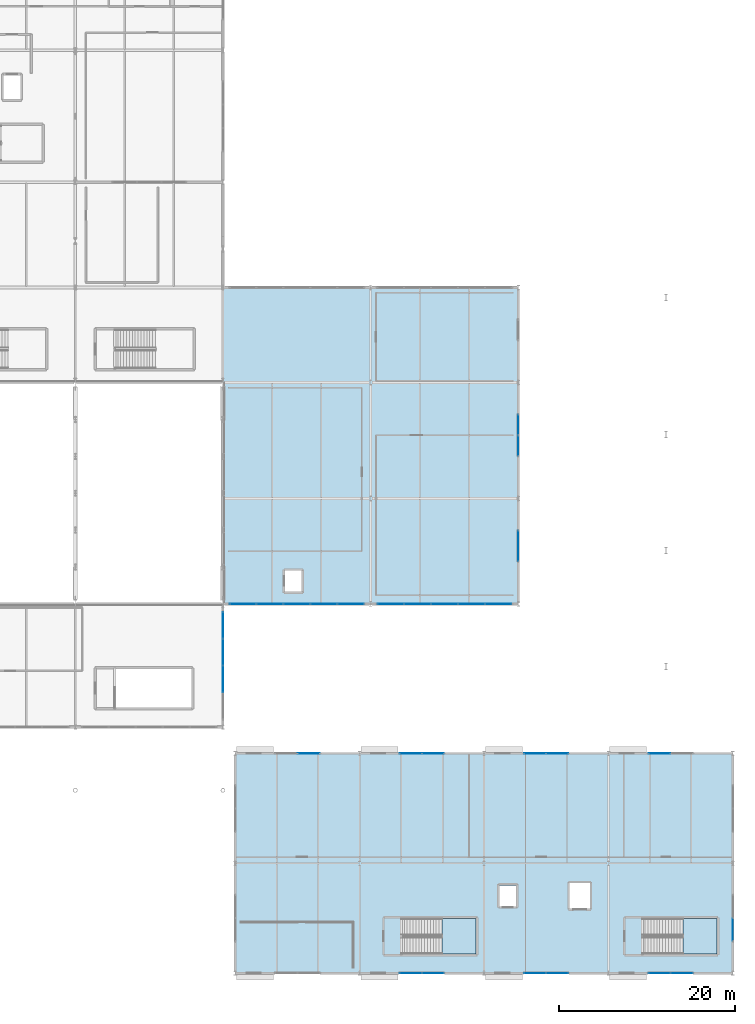
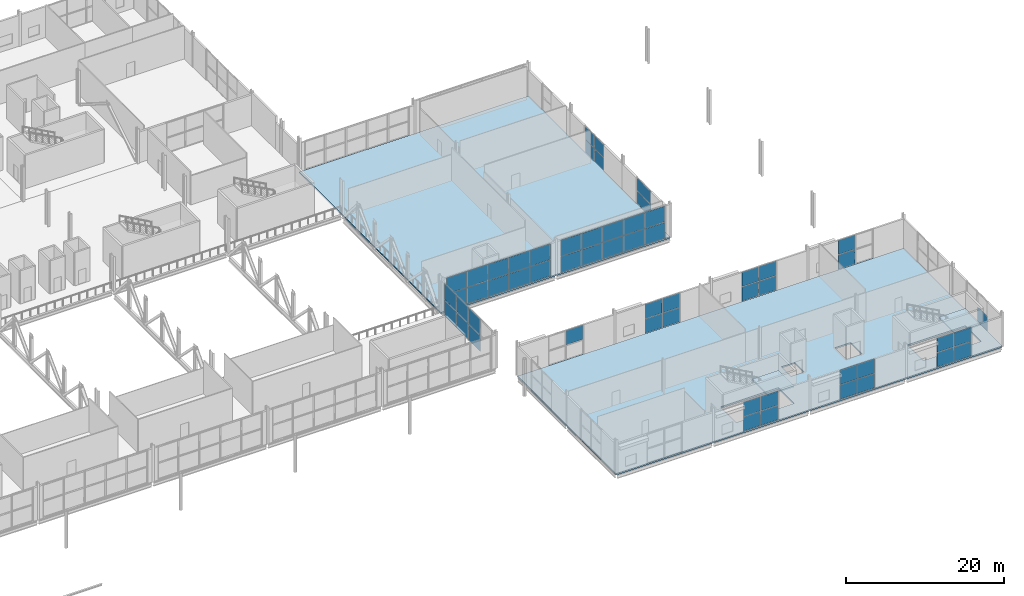
# One storey, part 52 of 84: 56 plates, 4 slabs, 15 elements without a shape of their own.
"""IFC4 building model written with IfcOpenShell, lengths in metres."""

from ifc_helpers import new_model, si_unit, direction, frame, origin, origin_2d, place, context, subcontext, project, spatial, polyline, rectangle, outline, extrude, material, layer, layer_set, type_object, element, aggregate, save


model = new_model("IFC4")

# Units and contexts
model_context = context("Model", 3, precision=1e-05, world=origin(), true_north=direction((0.0, 1.0)))
body_context = subcontext(model_context, "Body", "Model", "MODEL_VIEW")
ifc_project = project(units=[si_unit("LENGTHUNIT", "METRE"), si_unit("AREAUNIT", "SQUARE_METRE"), si_unit("VOLUMEUNIT", "CUBIC_METRE"), si_unit("PLANEANGLEUNIT", "RADIAN"), si_unit("MASSUNIT", "GRAM", prefix="KILO")], contexts=[model_context])

# Site, building, storey
site_placement = place(None, origin())
site = spatial("IfcSite", under=ifc_project, at=site_placement, CompositionType="ELEMENT")
building_placement = place(site_placement, origin())
building = spatial("IfcBuilding", under=site, at=building_placement, Name="Kimbaza Rail Terminus", CompositionType="ELEMENT")
storey_placement = place(building_placement, frame((0.0, 0.0, 5.39990234375)))
storey = spatial("IfcBuildingStorey", under=building, at=storey_placement, Name="L01", CompositionType="ELEMENT", Elevation=5.39990234375)

# Curtain wall, plates
ifc_material_1 = material(Name="Anodised aluminium framing and solar low-E glazing", Category="aluminium")
curtain_wall_type_1 = type_object("IfcCurtainWallType", Name="ARC-CW-TH1", PredefinedType="USERDEFINED", material=ifc_material_1)
curtain_wall_1_placement = place(storey_placement, origin())
curtain_wall_1 = element("IfcCurtainWall", 1, at=curtain_wall_1_placement, inside=storey, type_object=curtain_wall_type_1, Name="Concourse E Return Curtain Wall L01", ObjectType="UNITISED CURTAIN WALL", PredefinedType="USERDEFINED")
ifc_material_2 = material(Name="Solar-control double low-E glazing", Category="glass")
ifc_layer_1 = layer(ifc_material_2, 0.035888671875)
ifc_layer_set_1 = layer_set([ifc_layer_1], Name="Solar-control double low-E glazing")
plate_type_1 = type_object("IfcPlateType", Name="ARC-CWP-01", PredefinedType="CURTAIN_PANEL", material=ifc_layer_set_1)
plate_1_placement = place(storey_placement, frame((156.0, 46.465087890625, 0.0751953125), z_axis=(0.0, 0.0, 1.0), x_axis=(0.0, 1.0, 0.0)))
plate_1 = element("IfcPlate", 2, at=plate_1_placement, type_object=plate_type_1, Name="CW-01 panel 2.1", PredefinedType="CURTAIN_PANEL", context=body_context, shape_type="SweptSolid", body=[
    extrude(rectangle(XDim=2.9951171875, YDim=0.035888671875, at=origin_2d()), origin(), (0.0, 0.0, 1.0), 2.45751953125),
])
plate_2_placement = place(storey_placement, frame((156.0, 46.465087890625, 2.607666015625), z_axis=(0.0, 0.0, 1.0), x_axis=(0.0, 1.0, 0.0)))
plate_2 = element("IfcPlate", 3, at=plate_2_placement, type_object=plate_type_1, Name="CW-01 panel 2.2", PredefinedType="CURTAIN_PANEL", context=body_context, shape_type="SweptSolid", body=[
    extrude(rectangle(XDim=2.9951171875, YDim=0.035888671875, at=origin_2d()), origin(), (0.0, 0.0, 1.0), 2.45751953125),
])
plate_3_placement = place(storey_placement, frame((156.0, 49.534912109375, 0.0751953125), z_axis=(0.0, 0.0, 1.0), x_axis=(0.0, 1.0, 0.0)))
plate_3 = element("IfcPlate", 4, at=plate_3_placement, type_object=plate_type_1, Name="CW-01 panel 3.1", PredefinedType="CURTAIN_PANEL", context=body_context, shape_type="SweptSolid", body=[
    extrude(rectangle(XDim=2.9951171875, YDim=0.035888671875, at=origin_2d()), origin(), (0.0, 0.0, 1.0), 2.45751953125),
])
plate_4_placement = place(storey_placement, frame((156.0, 49.534912109375, 2.607666015625), z_axis=(0.0, 0.0, 1.0), x_axis=(0.0, 1.0, 0.0)))
plate_4 = element("IfcPlate", 5, at=plate_4_placement, type_object=plate_type_1, Name="CW-01 panel 3.2", PredefinedType="CURTAIN_PANEL", context=body_context, shape_type="SweptSolid", body=[
    extrude(rectangle(XDim=2.9951171875, YDim=0.035888671875, at=origin_2d()), origin(), (0.0, 0.0, 1.0), 2.45751953125),
])
plate_5_placement = place(storey_placement, frame((156.0, 52.586181640625, 0.0751953125), z_axis=(0.0, 0.0, 1.0), x_axis=(0.0, 1.0, 0.0)))
plate_5 = element("IfcPlate", 6, at=plate_5_placement, type_object=plate_type_1, Name="CW-01 panel 4.1", PredefinedType="CURTAIN_PANEL", context=body_context, shape_type="SweptSolid", body=[
    extrude(rectangle(XDim=2.95751953125, YDim=0.035888671875, at=origin_2d()), origin(), (0.0, 0.0, 1.0), 2.45751953125),
])
plate_6_placement = place(storey_placement, frame((156.0, 52.586181640625, 2.607666015625), z_axis=(0.0, 0.0, 1.0), x_axis=(0.0, 1.0, 0.0)))
plate_6 = element("IfcPlate", 7, at=plate_6_placement, type_object=plate_type_1, Name="CW-01 panel 4.2", PredefinedType="CURTAIN_PANEL", context=body_context, shape_type="SweptSolid", body=[
    extrude(rectangle(XDim=2.95751953125, YDim=0.035888671875, at=origin_2d()), origin(), (0.0, 0.0, 1.0), 2.45751953125),
])
aggregate(curtain_wall_1, [plate_1, plate_2, plate_3, plate_4, plate_5, plate_6])

curtain_wall_2_placement = place(storey_placement, origin())
curtain_wall_2 = element("IfcCurtainWall", 8, at=curtain_wall_2_placement, inside=storey, type_object=curtain_wall_type_1, Name="Ticket Hall Wing E Curtain Wall L01.1", ObjectType="UNITISED CURTAIN WALL", PredefinedType="USERDEFINED")
plate_7_placement = place(storey_placement, frame((158.274658203125, 55.0, 0.0751953125), z_axis=(0.0, 0.0, 1.0), x_axis=(1.0, 0.0, 0.0)))
plate_7 = element("IfcPlate", 9, at=plate_7_placement, type_object=plate_type_1, Name="CW-01 panel 1.1", PredefinedType="CURTAIN_PANEL", context=body_context, shape_type="SweptSolid", body=[
    extrude(rectangle(XDim=2.95947265625, YDim=0.035888671875, at=origin_2d()), origin(), (0.0, 0.0, 1.0), 2.45751953125),
])
plate_8_placement = place(storey_placement, frame((158.274658203125, 55.0, 2.607666015625), z_axis=(0.0, 0.0, 1.0), x_axis=(1.0, 0.0, 0.0)))
plate_8 = element("IfcPlate", 10, at=plate_8_placement, type_object=plate_type_1, Name="CW-01 panel 1.2", PredefinedType="CURTAIN_PANEL", context=body_context, shape_type="SweptSolid", body=[
    extrude(rectangle(XDim=2.95947265625, YDim=0.035888671875, at=origin_2d()), origin(), (0.0, 0.0, 1.0), 2.45751953125),
])
plate_9_placement = place(storey_placement, frame((161.327880859375, 55.0, 0.0751953125), z_axis=(0.0, 0.0, 1.0), x_axis=(1.0, 0.0, 0.0)))
plate_9 = element("IfcPlate", 11, at=plate_9_placement, type_object=plate_type_1, Name="CW-01 panel 2.1", PredefinedType="CURTAIN_PANEL", context=body_context, shape_type="SweptSolid", body=[
    extrude(rectangle(XDim=2.9970703125, YDim=0.035888671875, at=origin_2d()), origin(), (0.0, 0.0, 1.0), 2.45751953125),
])
plate_10_placement = place(storey_placement, frame((161.327880859375, 55.0, 2.607666015625), z_axis=(0.0, 0.0, 1.0), x_axis=(1.0, 0.0, 0.0)))
plate_10 = element("IfcPlate", 12, at=plate_10_placement, type_object=plate_type_1, Name="CW-01 panel 2.2", PredefinedType="CURTAIN_PANEL", context=body_context, shape_type="SweptSolid", body=[
    extrude(rectangle(XDim=2.9970703125, YDim=0.035888671875, at=origin_2d()), origin(), (0.0, 0.0, 1.0), 2.45751953125),
])
plate_11_placement = place(storey_placement, frame((164.39990234375, 55.0, 0.0751953125), z_axis=(0.0, 0.0, 1.0), x_axis=(1.0, 0.0, 0.0)))
plate_11 = element("IfcPlate", 13, at=plate_11_placement, type_object=plate_type_1, Name="CW-01 panel 3.1", PredefinedType="CURTAIN_PANEL", context=body_context, shape_type="SweptSolid", body=[
    extrude(rectangle(XDim=2.9970703125, YDim=0.035888671875, at=origin_2d()), origin(), (0.0, 0.0, 1.0), 2.45751953125),
])
plate_12_placement = place(storey_placement, frame((164.39990234375, 55.0, 2.607666015625), z_axis=(0.0, 0.0, 1.0), x_axis=(1.0, 0.0, 0.0)))
plate_12 = element("IfcPlate", 14, at=plate_12_placement, type_object=plate_type_1, Name="CW-01 panel 3.2", PredefinedType="CURTAIN_PANEL", context=body_context, shape_type="SweptSolid", body=[
    extrude(rectangle(XDim=2.9970703125, YDim=0.035888671875, at=origin_2d()), origin(), (0.0, 0.0, 1.0), 2.45751953125),
])
plate_13_placement = place(storey_placement, frame((167.471923828125, 55.0, 0.0751953125), z_axis=(0.0, 0.0, 1.0), x_axis=(1.0, 0.0, 0.0)))
plate_13 = element("IfcPlate", 15, at=plate_13_placement, type_object=plate_type_1, Name="CW-01 panel 4.1", PredefinedType="CURTAIN_PANEL", context=body_context, shape_type="SweptSolid", body=[
    extrude(rectangle(XDim=2.9970703125, YDim=0.035888671875, at=origin_2d()), origin(), (0.0, 0.0, 1.0), 2.45751953125),
])
plate_14_placement = place(storey_placement, frame((167.471923828125, 55.0, 2.607666015625), z_axis=(0.0, 0.0, 1.0), x_axis=(1.0, 0.0, 0.0)))
plate_14 = element("IfcPlate", 16, at=plate_14_placement, type_object=plate_type_1, Name="CW-01 panel 4.2", PredefinedType="CURTAIN_PANEL", context=body_context, shape_type="SweptSolid", body=[
    extrude(rectangle(XDim=2.9970703125, YDim=0.035888671875, at=origin_2d()), origin(), (0.0, 0.0, 1.0), 2.45751953125),
])
plate_15_placement = place(storey_placement, frame((170.525146484375, 55.0, 0.0751953125), z_axis=(0.0, 0.0, 1.0), x_axis=(1.0, 0.0, 0.0)))
plate_15 = element("IfcPlate", 17, at=plate_15_placement, type_object=plate_type_1, Name="CW-01 panel 5.1", PredefinedType="CURTAIN_PANEL", context=body_context, shape_type="SweptSolid", body=[
    extrude(rectangle(XDim=2.95947265625, YDim=0.035888671875, at=origin_2d()), origin(), (0.0, 0.0, 1.0), 2.45751953125),
])
plate_16_placement = place(storey_placement, frame((170.525146484375, 55.0, 2.607666015625), z_axis=(0.0, 0.0, 1.0), x_axis=(1.0, 0.0, 0.0)))
plate_16 = element("IfcPlate", 18, at=plate_16_placement, type_object=plate_type_1, Name="CW-01 panel 5.2", PredefinedType="CURTAIN_PANEL", context=body_context, shape_type="SweptSolid", body=[
    extrude(rectangle(XDim=2.95947265625, YDim=0.035888671875, at=origin_2d()), origin(), (0.0, 0.0, 1.0), 2.45751953125),
])
aggregate(curtain_wall_2, [plate_7, plate_8, plate_9, plate_10, plate_11, plate_12, plate_13, plate_14, plate_15, plate_16])

curtain_wall_3_placement = place(storey_placement, origin())
curtain_wall_3 = element("IfcCurtainWall", 19, at=curtain_wall_3_placement, inside=storey, type_object=curtain_wall_type_1, Name="Ticket Hall Wing E Curtain Wall L01.2", ObjectType="UNITISED CURTAIN WALL", PredefinedType="USERDEFINED")
plate_17_placement = place(storey_placement, frame((175.07470703125, 55.0, 0.0751953125), z_axis=(0.0, 0.0, 1.0), x_axis=(1.0, 0.0, 0.0)))
plate_17 = element("IfcPlate", 20, at=plate_17_placement, type_object=plate_type_1, Name="CW-01 panel 1.1", PredefinedType="CURTAIN_PANEL", context=body_context, shape_type="SweptSolid", body=[
    extrude(rectangle(XDim=2.95947265625, YDim=0.035888671875, at=origin_2d()), origin(), (0.0, 0.0, 1.0), 2.45751953125),
])
plate_18_placement = place(storey_placement, frame((175.07470703125, 55.0, 2.607666015625), z_axis=(0.0, 0.0, 1.0), x_axis=(1.0, 0.0, 0.0)))
plate_18 = element("IfcPlate", 21, at=plate_18_placement, type_object=plate_type_1, Name="CW-01 panel 1.2", PredefinedType="CURTAIN_PANEL", context=body_context, shape_type="SweptSolid", body=[
    extrude(rectangle(XDim=2.95947265625, YDim=0.035888671875, at=origin_2d()), origin(), (0.0, 0.0, 1.0), 2.45751953125),
])
plate_19_placement = place(storey_placement, frame((178.1279296875, 55.0, 0.0751953125), z_axis=(0.0, 0.0, 1.0), x_axis=(1.0, 0.0, 0.0)))
plate_19 = element("IfcPlate", 22, at=plate_19_placement, type_object=plate_type_1, Name="CW-01 panel 2.1", PredefinedType="CURTAIN_PANEL", context=body_context, shape_type="SweptSolid", body=[
    extrude(rectangle(XDim=2.9970703125, YDim=0.035888671875, at=origin_2d()), origin(), (0.0, 0.0, 1.0), 2.45751953125),
])
plate_20_placement = place(storey_placement, frame((178.1279296875, 55.0, 2.607666015625), z_axis=(0.0, 0.0, 1.0), x_axis=(1.0, 0.0, 0.0)))
plate_20 = element("IfcPlate", 23, at=plate_20_placement, type_object=plate_type_1, Name="CW-01 panel 2.2", PredefinedType="CURTAIN_PANEL", context=body_context, shape_type="SweptSolid", body=[
    extrude(rectangle(XDim=2.9970703125, YDim=0.035888671875, at=origin_2d()), origin(), (0.0, 0.0, 1.0), 2.45751953125),
])
plate_21_placement = place(storey_placement, frame((181.199951171875, 55.0, 0.0751953125), z_axis=(0.0, 0.0, 1.0), x_axis=(1.0, 0.0, 0.0)))
plate_21 = element("IfcPlate", 24, at=plate_21_placement, type_object=plate_type_1, Name="CW-01 panel 3.1", PredefinedType="CURTAIN_PANEL", context=body_context, shape_type="SweptSolid", body=[
    extrude(rectangle(XDim=2.9970703125, YDim=0.035888671875, at=origin_2d()), origin(), (0.0, 0.0, 1.0), 2.45751953125),
])
plate_22_placement = place(storey_placement, frame((181.199951171875, 55.0, 2.607666015625), z_axis=(0.0, 0.0, 1.0), x_axis=(1.0, 0.0, 0.0)))
plate_22 = element("IfcPlate", 25, at=plate_22_placement, type_object=plate_type_1, Name="CW-01 panel 3.2", PredefinedType="CURTAIN_PANEL", context=body_context, shape_type="SweptSolid", body=[
    extrude(rectangle(XDim=2.9970703125, YDim=0.035888671875, at=origin_2d()), origin(), (0.0, 0.0, 1.0), 2.45751953125),
])
plate_23_placement = place(storey_placement, frame((184.27197265625, 55.0, 0.0751953125), z_axis=(0.0, 0.0, 1.0), x_axis=(1.0, 0.0, 0.0)))
plate_23 = element("IfcPlate", 26, at=plate_23_placement, type_object=plate_type_1, Name="CW-01 panel 4.1", PredefinedType="CURTAIN_PANEL", context=body_context, shape_type="SweptSolid", body=[
    extrude(rectangle(XDim=2.9970703125, YDim=0.035888671875, at=origin_2d()), origin(), (0.0, 0.0, 1.0), 2.45751953125),
])
plate_24_placement = place(storey_placement, frame((184.27197265625, 55.0, 2.607666015625), z_axis=(0.0, 0.0, 1.0), x_axis=(1.0, 0.0, 0.0)))
plate_24 = element("IfcPlate", 27, at=plate_24_placement, type_object=plate_type_1, Name="CW-01 panel 4.2", PredefinedType="CURTAIN_PANEL", context=body_context, shape_type="SweptSolid", body=[
    extrude(rectangle(XDim=2.9970703125, YDim=0.035888671875, at=origin_2d()), origin(), (0.0, 0.0, 1.0), 2.45751953125),
])
plate_25_placement = place(storey_placement, frame((187.3251953125, 55.0, 0.0751953125), z_axis=(0.0, 0.0, 1.0), x_axis=(1.0, 0.0, 0.0)))
plate_25 = element("IfcPlate", 28, at=plate_25_placement, type_object=plate_type_1, Name="CW-01 panel 5.1", PredefinedType="CURTAIN_PANEL", context=body_context, shape_type="SweptSolid", body=[
    extrude(rectangle(XDim=2.95947265625, YDim=0.035888671875, at=origin_2d()), origin(), (0.0, 0.0, 1.0), 2.45751953125),
])
plate_26_placement = place(storey_placement, frame((187.3251953125, 55.0, 2.607666015625), z_axis=(0.0, 0.0, 1.0), x_axis=(1.0, 0.0, 0.0)))
plate_26 = element("IfcPlate", 29, at=plate_26_placement, type_object=plate_type_1, Name="CW-01 panel 5.2", PredefinedType="CURTAIN_PANEL", context=body_context, shape_type="SweptSolid", body=[
    extrude(rectangle(XDim=2.95947265625, YDim=0.035888671875, at=origin_2d()), origin(), (0.0, 0.0, 1.0), 2.45751953125),
])
aggregate(curtain_wall_3, [plate_17, plate_18, plate_19, plate_20, plate_21, plate_22, plate_23, plate_24, plate_25, plate_26])

curtain_wall_4_placement = place(storey_placement, origin())
curtain_wall_4 = element("IfcCurtainWall", 30, at=curtain_wall_4_placement, inside=storey, type_object=curtain_wall_type_1, Name="Ticket Hall E Glazing L01.1", ObjectType="UNITISED CURTAIN WALL", PredefinedType="USERDEFINED")
plate_27_placement = place(storey_placement, frame((189.60009765625, 61.60009765625, 0.0751953125), z_axis=(0.0, 0.0, 1.0), x_axis=(0.0, 1.0, 0.0)))
plate_27 = element("IfcPlate", 31, at=plate_27_placement, type_object=plate_type_1, Name="CW-01 panel 1.1", PredefinedType="CURTAIN_PANEL", context=body_context, shape_type="SweptSolid", body=[
    extrude(rectangle(XDim=3.449951171875, YDim=0.035888671875, at=origin_2d()), origin(), (0.0, 0.0, 1.0), 1.949951171875),
])
plate_28_placement = place(storey_placement, frame((189.60009765625, 61.60009765625, 2.10009765625), z_axis=(0.0, 0.0, 1.0), x_axis=(0.0, 1.0, 0.0)))
plate_28 = element("IfcPlate", 32, at=plate_28_placement, type_object=plate_type_1, Name="CW-01 panel 1.2", PredefinedType="CURTAIN_PANEL", context=body_context, shape_type="SweptSolid", body=[
    extrude(rectangle(XDim=3.449951171875, YDim=0.035888671875, at=origin_2d()), origin(), (0.0, 0.0, 1.0), 1.949951171875),
])
aggregate(curtain_wall_4, [plate_27, plate_28])

curtain_wall_5_placement = place(storey_placement, origin())
curtain_wall_5 = element("IfcCurtainWall", 33, at=curtain_wall_5_placement, inside=storey, type_object=curtain_wall_type_1, Name="Ticket Hall E Glazing L01.2", ObjectType="UNITISED CURTAIN WALL", PredefinedType="USERDEFINED")
plate_29_placement = place(storey_placement, frame((189.60009765625, 73.018798828125, 0.0751953125), z_axis=(0.0, 0.0, 1.0), x_axis=(0.0, 1.0, 0.0)))
plate_29 = element("IfcPlate", 34, at=plate_29_placement, type_object=plate_type_1, Name="CW-01 panel 1.1", PredefinedType="CURTAIN_PANEL", context=body_context, shape_type="SweptSolid", body=[
    extrude(rectangle(XDim=2.28759765625, YDim=0.035888671875, at=origin_2d()), origin(), (0.0, 0.0, 1.0), 1.949951171875),
])
plate_30_placement = place(storey_placement, frame((189.60009765625, 73.018798828125, 2.10009765625), z_axis=(0.0, 0.0, 1.0), x_axis=(0.0, 1.0, 0.0)))
plate_30 = element("IfcPlate", 35, at=plate_30_placement, type_object=plate_type_1, Name="CW-01 panel 1.2", PredefinedType="CURTAIN_PANEL", context=body_context, shape_type="SweptSolid", body=[
    extrude(rectangle(XDim=2.28759765625, YDim=0.035888671875, at=origin_2d()), origin(), (0.0, 0.0, 1.0), 1.949951171875),
])
plate_31_placement = place(storey_placement, frame((189.60009765625, 75.38134765625, 0.0751953125), z_axis=(0.0, 0.0, 1.0), x_axis=(0.0, 1.0, 0.0)))
plate_31 = element("IfcPlate", 36, at=plate_31_placement, type_object=plate_type_1, Name="CW-01 panel 2.1", PredefinedType="CURTAIN_PANEL", context=body_context, shape_type="SweptSolid", body=[
    extrude(rectangle(XDim=2.28759765625, YDim=0.035888671875, at=origin_2d()), origin(), (0.0, 0.0, 1.0), 1.949951171875),
])
plate_32_placement = place(storey_placement, frame((189.60009765625, 75.38134765625, 2.10009765625), z_axis=(0.0, 0.0, 1.0), x_axis=(0.0, 1.0, 0.0)))
plate_32 = element("IfcPlate", 37, at=plate_32_placement, type_object=plate_type_1, Name="CW-01 panel 2.2", PredefinedType="CURTAIN_PANEL", context=body_context, shape_type="SweptSolid", body=[
    extrude(rectangle(XDim=2.28759765625, YDim=0.035888671875, at=origin_2d()), origin(), (0.0, 0.0, 1.0), 1.949951171875),
])
aggregate(curtain_wall_5, [plate_29, plate_30, plate_31, plate_32])

# Curtain wall, plate
ifc_material_3 = material(Name="Anodised aluminium framing and solar low-E glazing", Category="aluminium")
curtain_wall_type_2 = type_object("IfcCurtainWallType", Name="ARC-CW-PV1", PredefinedType="USERDEFINED", material=ifc_material_3)
curtain_wall_6_placement = place(storey_placement, origin())
curtain_wall_6 = element("IfcCurtainWall", 38, at=curtain_wall_6_placement, inside=storey, type_object=curtain_wall_type_2, Name="Pavilion N Curtain Wall L01.1", ObjectType="STICK CURTAIN WALL", PredefinedType="USERDEFINED")
ifc_material_4 = material(Name="Solar-control double low-E glazing", Category="glass")
ifc_layer_2 = layer(ifc_material_4, 0.027099609375)
ifc_layer_set_2 = layer_set([ifc_layer_2], Name="Solar-control double low-E glazing")
plate_type_2 = type_object("IfcPlateType", Name="ARC-CWP-04", PredefinedType="CURTAIN_PANEL", material=ifc_layer_set_2)
plate_33_placement = place(storey_placement, frame((165.746337890625, 38.0, 2.34521484375), z_axis=(0.0, 0.0, 1.0), x_axis=(1.0, 0.0, 0.0)))
plate_33 = element("IfcPlate", 39, at=plate_33_placement, type_object=plate_type_2, Name="CW-04 panel 2.2", PredefinedType="CURTAIN_PANEL", context=body_context, shape_type="SweptSolid", body=[
    extrude(rectangle(XDim=2.4775390625, YDim=0.027099609375, at=origin_2d()), origin(), (0.0, 0.0, 1.0), 2.215087890625),
])
aggregate(curtain_wall_6, [plate_33])

# Curtain wall, plates
curtain_wall_7_placement = place(storey_placement, origin())
curtain_wall_7 = element("IfcCurtainWall", 40, at=curtain_wall_7_placement, inside=storey, type_object=curtain_wall_type_2, Name="Pavilion N Curtain Wall L01.2", ObjectType="STICK CURTAIN WALL", PredefinedType="USERDEFINED")
plate_34_placement = place(storey_placement, frame((177.353759765625, 38.0, 0.06494140625), z_axis=(0.0, 0.0, 1.0), x_axis=(1.0, 0.0, 0.0)))
plate_34 = element("IfcPlate", 41, at=plate_34_placement, type_object=plate_type_2, Name="CW-04 panel 1.1", PredefinedType="CURTAIN_PANEL", context=body_context, shape_type="SweptSolid", body=[
    extrude(rectangle(XDim=2.4775390625, YDim=0.027099609375, at=origin_2d()), origin(), (0.0, 0.0, 1.0), 2.215087890625),
])
plate_35_placement = place(storey_placement, frame((177.353759765625, 38.0, 2.34521484375), z_axis=(0.0, 0.0, 1.0), x_axis=(1.0, 0.0, 0.0)))
plate_35 = element("IfcPlate", 42, at=plate_35_placement, type_object=plate_type_2, Name="CW-04 panel 1.2", PredefinedType="CURTAIN_PANEL", context=body_context, shape_type="SweptSolid", body=[
    extrude(rectangle(XDim=2.4775390625, YDim=0.027099609375, at=origin_2d()), origin(), (0.0, 0.0, 1.0), 2.215087890625),
])
plate_36_placement = place(storey_placement, frame((179.896240234375, 38.0, 0.06494140625), z_axis=(0.0, 0.0, 1.0), x_axis=(1.0, 0.0, 0.0)))
plate_36 = element("IfcPlate", 43, at=plate_36_placement, type_object=plate_type_2, Name="CW-04 panel 2.1", PredefinedType="CURTAIN_PANEL", context=body_context, shape_type="SweptSolid", body=[
    extrude(rectangle(XDim=2.4775390625, YDim=0.027099609375, at=origin_2d()), origin(), (0.0, 0.0, 1.0), 2.215087890625),
])
plate_37_placement = place(storey_placement, frame((179.896240234375, 38.0, 2.34521484375), z_axis=(0.0, 0.0, 1.0), x_axis=(1.0, 0.0, 0.0)))
plate_37 = element("IfcPlate", 44, at=plate_37_placement, type_object=plate_type_2, Name="CW-04 panel 2.2", PredefinedType="CURTAIN_PANEL", context=body_context, shape_type="SweptSolid", body=[
    extrude(rectangle(XDim=2.4775390625, YDim=0.027099609375, at=origin_2d()), origin(), (0.0, 0.0, 1.0), 2.215087890625),
])
aggregate(curtain_wall_7, [plate_34, plate_35, plate_36, plate_37])

curtain_wall_8_placement = place(storey_placement, origin())
curtain_wall_8 = element("IfcCurtainWall", 45, at=curtain_wall_8_placement, inside=storey, type_object=curtain_wall_type_2, Name="Pavilion N Curtain Wall L01.3", ObjectType="STICK CURTAIN WALL", PredefinedType="USERDEFINED")
plate_38_placement = place(storey_placement, frame((191.503662109375, 38.0, 0.06494140625), z_axis=(0.0, 0.0, 1.0), x_axis=(1.0, 0.0, 0.0)))
plate_38 = element("IfcPlate", 46, at=plate_38_placement, type_object=plate_type_2, Name="CW-04 panel 1.1", PredefinedType="CURTAIN_PANEL", context=body_context, shape_type="SweptSolid", body=[
    extrude(rectangle(XDim=2.4775390625, YDim=0.027099609375, at=origin_2d()), origin(), (0.0, 0.0, 1.0), 2.215087890625),
])
plate_39_placement = place(storey_placement, frame((191.503662109375, 38.0, 2.34521484375), z_axis=(0.0, 0.0, 1.0), x_axis=(1.0, 0.0, 0.0)))
plate_39 = element("IfcPlate", 47, at=plate_39_placement, type_object=plate_type_2, Name="CW-04 panel 1.2", PredefinedType="CURTAIN_PANEL", context=body_context, shape_type="SweptSolid", body=[
    extrude(rectangle(XDim=2.4775390625, YDim=0.027099609375, at=origin_2d()), origin(), (0.0, 0.0, 1.0), 2.215087890625),
])
plate_40_placement = place(storey_placement, frame((194.046142578125, 38.0, 0.06494140625), z_axis=(0.0, 0.0, 1.0), x_axis=(1.0, 0.0, 0.0)))
plate_40 = element("IfcPlate", 48, at=plate_40_placement, type_object=plate_type_2, Name="CW-04 panel 2.1", PredefinedType="CURTAIN_PANEL", context=body_context, shape_type="SweptSolid", body=[
    extrude(rectangle(XDim=2.4775390625, YDim=0.027099609375, at=origin_2d()), origin(), (0.0, 0.0, 1.0), 2.215087890625),
])
plate_41_placement = place(storey_placement, frame((194.046142578125, 38.0, 2.34521484375), z_axis=(0.0, 0.0, 1.0), x_axis=(1.0, 0.0, 0.0)))
plate_41 = element("IfcPlate", 49, at=plate_41_placement, type_object=plate_type_2, Name="CW-04 panel 2.2", PredefinedType="CURTAIN_PANEL", context=body_context, shape_type="SweptSolid", body=[
    extrude(rectangle(XDim=2.4775390625, YDim=0.027099609375, at=origin_2d()), origin(), (0.0, 0.0, 1.0), 2.215087890625),
])
aggregate(curtain_wall_8, [plate_38, plate_39, plate_40, plate_41])

curtain_wall_9_placement = place(storey_placement, origin())
curtain_wall_9 = element("IfcCurtainWall", 50, at=curtain_wall_9_placement, inside=storey, type_object=curtain_wall_type_2, Name="Pavilion N Curtain Wall L01.4", ObjectType="STICK CURTAIN WALL", PredefinedType="USERDEFINED")
plate_42_placement = place(storey_placement, frame((205.65380859375, 38.0, 0.06494140625), z_axis=(0.0, 0.0, 1.0), x_axis=(1.0, 0.0, 0.0)))
plate_42 = element("IfcPlate", 51, at=plate_42_placement, type_object=plate_type_2, Name="CW-04 panel 1.1", PredefinedType="CURTAIN_PANEL", context=body_context, shape_type="SweptSolid", body=[
    extrude(rectangle(XDim=2.4775390625, YDim=0.027099609375, at=origin_2d()), origin(), (0.0, 0.0, 1.0), 2.215087890625),
])
plate_43_placement = place(storey_placement, frame((205.65380859375, 38.0, 2.34521484375), z_axis=(0.0, 0.0, 1.0), x_axis=(1.0, 0.0, 0.0)))
plate_43 = element("IfcPlate", 52, at=plate_43_placement, type_object=plate_type_2, Name="CW-04 panel 1.2", PredefinedType="CURTAIN_PANEL", context=body_context, shape_type="SweptSolid", body=[
    extrude(rectangle(XDim=2.4775390625, YDim=0.027099609375, at=origin_2d()), origin(), (0.0, 0.0, 1.0), 2.215087890625),
])
aggregate(curtain_wall_9, [plate_42, plate_43])

curtain_wall_10_placement = place(storey_placement, origin())
curtain_wall_10 = element("IfcCurtainWall", 53, at=curtain_wall_10_placement, inside=storey, type_object=curtain_wall_type_2, Name="Pavilion S Curtain Wall L01.2", ObjectType="STICK CURTAIN WALL", PredefinedType="USERDEFINED")
plate_44_placement = place(storey_placement, frame((177.353759765625, 13.0, 0.06494140625), z_axis=(0.0, 0.0, 1.0), x_axis=(1.0, 0.0, 0.0)))
plate_44 = element("IfcPlate", 54, at=plate_44_placement, type_object=plate_type_2, Name="CW-04 panel 1.1", PredefinedType="CURTAIN_PANEL", context=body_context, shape_type="SweptSolid", body=[
    extrude(rectangle(XDim=2.4775390625, YDim=0.027099609375, at=origin_2d()), origin(), (0.0, 0.0, 1.0), 2.215087890625),
])
plate_45_placement = place(storey_placement, frame((177.353759765625, 13.0, 2.34521484375), z_axis=(0.0, 0.0, 1.0), x_axis=(1.0, 0.0, 0.0)))
plate_45 = element("IfcPlate", 55, at=plate_45_placement, type_object=plate_type_2, Name="CW-04 panel 1.2", PredefinedType="CURTAIN_PANEL", context=body_context, shape_type="SweptSolid", body=[
    extrude(rectangle(XDim=2.4775390625, YDim=0.027099609375, at=origin_2d()), origin(), (0.0, 0.0, 1.0), 2.215087890625),
])
plate_46_placement = place(storey_placement, frame((179.896240234375, 13.0, 0.06494140625), z_axis=(0.0, 0.0, 1.0), x_axis=(1.0, 0.0, 0.0)))
plate_46 = element("IfcPlate", 56, at=plate_46_placement, type_object=plate_type_2, Name="CW-04 panel 2.1", PredefinedType="CURTAIN_PANEL", context=body_context, shape_type="SweptSolid", body=[
    extrude(rectangle(XDim=2.4775390625, YDim=0.027099609375, at=origin_2d()), origin(), (0.0, 0.0, 1.0), 2.215087890625),
])
plate_47_placement = place(storey_placement, frame((179.896240234375, 13.0, 2.34521484375), z_axis=(0.0, 0.0, 1.0), x_axis=(1.0, 0.0, 0.0)))
plate_47 = element("IfcPlate", 57, at=plate_47_placement, type_object=plate_type_2, Name="CW-04 panel 2.2", PredefinedType="CURTAIN_PANEL", context=body_context, shape_type="SweptSolid", body=[
    extrude(rectangle(XDim=2.4775390625, YDim=0.027099609375, at=origin_2d()), origin(), (0.0, 0.0, 1.0), 2.215087890625),
])
aggregate(curtain_wall_10, [plate_44, plate_45, plate_46, plate_47])

curtain_wall_11_placement = place(storey_placement, origin())
curtain_wall_11 = element("IfcCurtainWall", 58, at=curtain_wall_11_placement, inside=storey, type_object=curtain_wall_type_2, Name="Pavilion S Curtain Wall L01.3", ObjectType="STICK CURTAIN WALL", PredefinedType="USERDEFINED")
plate_48_placement = place(storey_placement, frame((191.503662109375, 13.0, 0.06494140625), z_axis=(0.0, 0.0, 1.0), x_axis=(1.0, 0.0, 0.0)))
plate_48 = element("IfcPlate", 59, at=plate_48_placement, type_object=plate_type_2, Name="CW-04 panel 1.1", PredefinedType="CURTAIN_PANEL", context=body_context, shape_type="SweptSolid", body=[
    extrude(rectangle(XDim=2.4775390625, YDim=0.027099609375, at=origin_2d()), origin(), (0.0, 0.0, 1.0), 2.215087890625),
])
plate_49_placement = place(storey_placement, frame((191.503662109375, 13.0, 2.34521484375), z_axis=(0.0, 0.0, 1.0), x_axis=(1.0, 0.0, 0.0)))
plate_49 = element("IfcPlate", 60, at=plate_49_placement, type_object=plate_type_2, Name="CW-04 panel 1.2", PredefinedType="CURTAIN_PANEL", context=body_context, shape_type="SweptSolid", body=[
    extrude(rectangle(XDim=2.4775390625, YDim=0.027099609375, at=origin_2d()), origin(), (0.0, 0.0, 1.0), 2.215087890625),
])
plate_50_placement = place(storey_placement, frame((194.046142578125, 13.0, 0.06494140625), z_axis=(0.0, 0.0, 1.0), x_axis=(1.0, 0.0, 0.0)))
plate_50 = element("IfcPlate", 61, at=plate_50_placement, type_object=plate_type_2, Name="CW-04 panel 2.1", PredefinedType="CURTAIN_PANEL", context=body_context, shape_type="SweptSolid", body=[
    extrude(rectangle(XDim=2.4775390625, YDim=0.027099609375, at=origin_2d()), origin(), (0.0, 0.0, 1.0), 2.215087890625),
])
plate_51_placement = place(storey_placement, frame((194.046142578125, 13.0, 2.34521484375), z_axis=(0.0, 0.0, 1.0), x_axis=(1.0, 0.0, 0.0)))
plate_51 = element("IfcPlate", 62, at=plate_51_placement, type_object=plate_type_2, Name="CW-04 panel 2.2", PredefinedType="CURTAIN_PANEL", context=body_context, shape_type="SweptSolid", body=[
    extrude(rectangle(XDim=2.4775390625, YDim=0.027099609375, at=origin_2d()), origin(), (0.0, 0.0, 1.0), 2.215087890625),
])
aggregate(curtain_wall_11, [plate_48, plate_49, plate_50, plate_51])

curtain_wall_12_placement = place(storey_placement, origin())
curtain_wall_12 = element("IfcCurtainWall", 63, at=curtain_wall_12_placement, inside=storey, type_object=curtain_wall_type_2, Name="Pavilion S Curtain Wall L01.4", ObjectType="STICK CURTAIN WALL", PredefinedType="USERDEFINED")
plate_52_placement = place(storey_placement, frame((205.65380859375, 13.0, 0.06494140625), z_axis=(0.0, 0.0, 1.0), x_axis=(1.0, 0.0, 0.0)))
plate_52 = element("IfcPlate", 64, at=plate_52_placement, type_object=plate_type_2, Name="CW-04 panel 1.1", PredefinedType="CURTAIN_PANEL", context=body_context, shape_type="SweptSolid", body=[
    extrude(rectangle(XDim=2.4775390625, YDim=0.027099609375, at=origin_2d()), origin(), (0.0, 0.0, 1.0), 2.215087890625),
])
plate_53_placement = place(storey_placement, frame((205.65380859375, 13.0, 2.34521484375), z_axis=(0.0, 0.0, 1.0), x_axis=(1.0, 0.0, 0.0)))
plate_53 = element("IfcPlate", 65, at=plate_53_placement, type_object=plate_type_2, Name="CW-04 panel 1.2", PredefinedType="CURTAIN_PANEL", context=body_context, shape_type="SweptSolid", body=[
    extrude(rectangle(XDim=2.4775390625, YDim=0.027099609375, at=origin_2d()), origin(), (0.0, 0.0, 1.0), 2.215087890625),
])
plate_54_placement = place(storey_placement, frame((208.1962890625, 13.0, 0.06494140625), z_axis=(0.0, 0.0, 1.0), x_axis=(1.0, 0.0, 0.0)))
plate_54 = element("IfcPlate", 66, at=plate_54_placement, type_object=plate_type_2, Name="CW-04 panel 2.1", PredefinedType="CURTAIN_PANEL", context=body_context, shape_type="SweptSolid", body=[
    extrude(rectangle(XDim=2.4775390625, YDim=0.027099609375, at=origin_2d()), origin(), (0.0, 0.0, 1.0), 2.215087890625),
])
plate_55_placement = place(storey_placement, frame((208.1962890625, 13.0, 2.34521484375), z_axis=(0.0, 0.0, 1.0), x_axis=(1.0, 0.0, 0.0)))
plate_55 = element("IfcPlate", 67, at=plate_55_placement, type_object=plate_type_2, Name="CW-04 panel 2.2", PredefinedType="CURTAIN_PANEL", context=body_context, shape_type="SweptSolid", body=[
    extrude(rectangle(XDim=2.4775390625, YDim=0.027099609375, at=origin_2d()), origin(), (0.0, 0.0, 1.0), 2.215087890625),
])
aggregate(curtain_wall_12, [plate_52, plate_53, plate_54, plate_55])

# Curtain wall, plate
curtain_wall_13_placement = place(storey_placement, origin())
curtain_wall_13 = element("IfcCurtainWall", 68, at=curtain_wall_13_placement, inside=storey, type_object=curtain_wall_type_2, Name="Pavilion E Curtain Wall L01.1", ObjectType="STICK CURTAIN WALL", PredefinedType="USERDEFINED")
plate_56_placement = place(storey_placement, frame((214.0, 17.941162109375, 0.06494140625), z_axis=(0.0, 0.0, 1.0), x_axis=(0.0, 1.0, 0.0)))
plate_56 = element("IfcPlate", 69, at=plate_56_placement, type_object=plate_type_2, Name="CW-04 panel 1.1", PredefinedType="CURTAIN_PANEL", context=body_context, shape_type="SweptSolid", body=[
    extrude(rectangle(XDim=2.552490234375, YDim=0.027099609375, at=origin_2d()), origin(), (0.0, 0.0, 1.0), 2.239990234375),
])
aggregate(curtain_wall_13, [plate_56])

# Stair, slab
ifc_material_5 = material(Name="Concrete C40/50", Category="concrete")
stair_type = type_object("IfcStairType", Name="ARC-STR-07", PredefinedType="HALF_TURN_STAIR", material=ifc_material_5)
stair_1_placement = place(storey_placement, origin())
stair_1 = element("IfcStair", 70, at=stair_1_placement, inside=storey, type_object=stair_type, Name="L01 Retail Pavilion West Stair", PredefinedType="HALF_TURN_STAIR")
ifc_material_6 = material(Name="Concrete C40/50", Category="concrete")
ifc_layer_3 = layer(ifc_material_6, 0.199951171875)
ifc_layer_set_3 = layer_set([ifc_layer_3], Name="Concrete C40/50")
slab_type_1 = type_object("IfcSlabType", Name="STR-SL-LND200", PredefinedType="LANDING", material=ifc_layer_set_3)
slab_1_placement = place(storey_placement, frame((0.0, 0.0, 2.5)))
slab_1 = element("IfcSlab", 71, at=slab_1_placement, type_object=slab_type_1, Name="ST-P1 landing 1", PredefinedType="LANDING", context=body_context, shape_type="SweptSolid", body=[
    extrude(outline(polyline([(180.919921875, 15.199951171875), (184.800048828125, 15.199951171875), (184.800048828125, 19.199951171875), (180.919921875, 19.199951171875), (180.919921875, 15.199951171875)])), origin(), (0.0, 0.0, 1.0), 0.2001953125),
])
aggregate(stair_1, [slab_1])

stair_2_placement = place(storey_placement, origin())
stair_2 = element("IfcStair", 72, at=stair_2_placement, inside=storey, type_object=stair_type, Name="L01 Retail Pavilion East Stair", PredefinedType="HALF_TURN_STAIR")
slab_2_placement = place(storey_placement, frame((0.0, 0.0, 2.5)))
slab_2 = element("IfcSlab", 73, at=slab_2_placement, type_object=slab_type_1, Name="ST-P2 landing 1", PredefinedType="LANDING", context=body_context, shape_type="SweptSolid", body=[
    extrude(outline(polyline([(208.320068359375, 15.199951171875), (212.199951171875, 15.199951171875), (212.199951171875, 19.199951171875), (208.320068359375, 19.199951171875), (208.320068359375, 15.199951171875)])), origin(), (0.0, 0.0, 1.0), 0.2001953125),
])
aggregate(stair_2, [slab_2])

# Slabs
ifc_material_7 = material(Name="Concrete C40/50", Category="concrete")
ifc_layer_4 = layer(ifc_material_7, 0.219970703125)
ifc_layer_set_4 = layer_set([ifc_layer_4], Name="Concrete C40/50")
slab_type_2 = type_object("IfcSlabType", Name="STR-SL-MEZ220", PredefinedType="FLOOR", material=ifc_layer_set_4)
slab_3_placement = place(storey_placement, frame((0.0, 0.0, -0.219970703125)))
element("IfcSlab", 74, at=slab_3_placement, inside=storey, type_object=slab_type_2, Name="Concourse Mezzanine L01 SLB-V2-L01-EAST", PredefinedType="FLOOR", context=body_context, shape_type="SweptSolid", body=[
    extrude(outline(polyline([(156.0, 55.0), (189.60009765625, 55.0), (189.60009765625, 91.0), (156.0, 91.0), (156.0, 55.0)]), holes=[polyline([(163.050048828125, 56.39990234375), (164.949951171875, 56.39990234375), (164.949951171875, 58.800048828125), (163.050048828125, 58.800048828125), (163.050048828125, 56.39990234375)])]), origin(), (0.0, 0.0, 1.0), 0.219970703125),
])
slab_4_placement = place(storey_placement, frame((0.0, 0.0, -0.219970703125)))
element("IfcSlab", 75, at=slab_4_placement, inside=storey, type_object=slab_type_2, Name="Retail and Cafe Pavilion L01 Slab", PredefinedType="FLOOR", context=body_context, shape_type="SweptSolid", body=[
    extrude(outline(polyline([(157.39990234375, 13.0), (214.0, 13.0), (214.0, 38.0), (157.39990234375, 38.0), (157.39990234375, 13.0)]), holes=[polyline([(176.324951171875, 15.199951171875), (184.800048828125, 15.199951171875), (184.800048828125, 19.199951171875), (176.324951171875, 19.199951171875), (176.324951171875, 15.199951171875)]), polyline([(203.72509765625, 15.199951171875), (212.199951171875, 15.199951171875), (212.199951171875, 19.199951171875), (203.72509765625, 19.199951171875), (203.72509765625, 15.199951171875)]), polyline([(187.449951171875, 20.60009765625), (189.35009765625, 20.60009765625), (189.35009765625, 23.0), (187.449951171875, 23.0), (187.449951171875, 20.60009765625)]), polyline([(195.449951171875, 20.35009765625), (197.75, 20.35009765625), (197.75, 23.25), (195.449951171875, 23.25), (195.449951171875, 20.35009765625)])]), origin(), (0.0, 0.0, 1.0), 0.219970703125),
])

save(model, "model.ifc")
